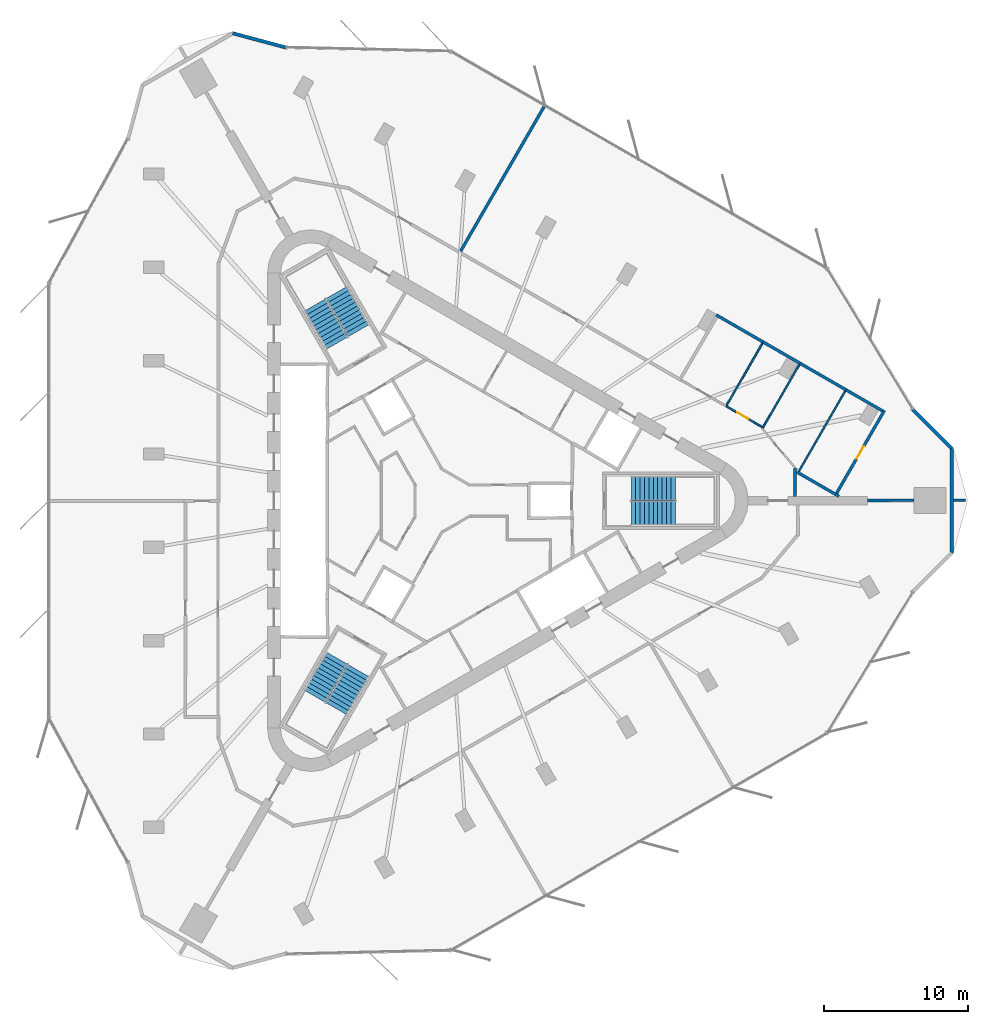
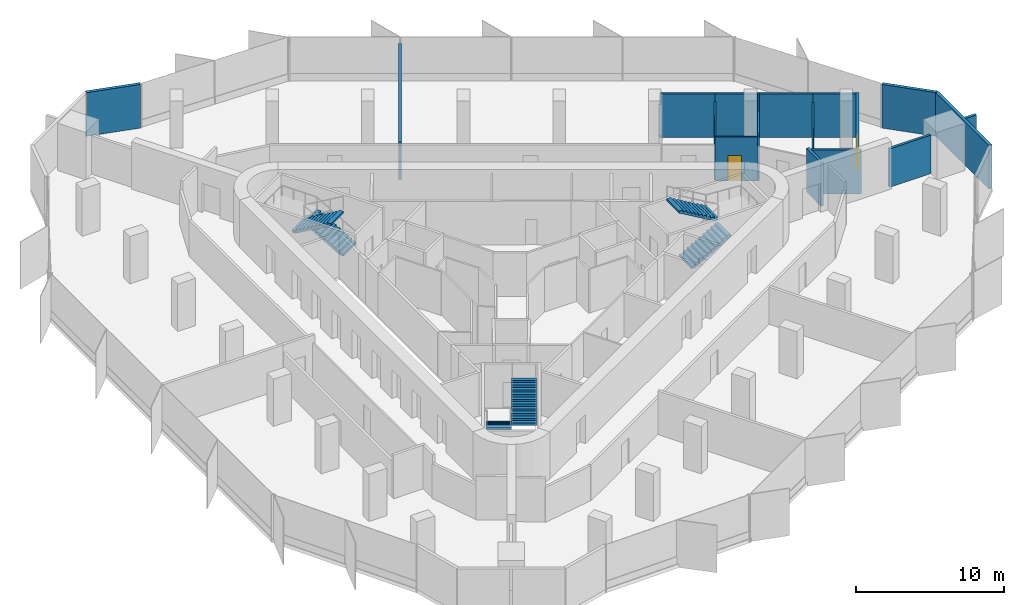
# One storey, part 11 of 12: 17 walls, 6 stair flights, 2 doors, 2 openings, 3 elements without a shape of their own.
"""IFC4 building model written with IfcOpenShell, lengths in metres."""

from ifc_helpers import new_model, si_unit, direction, frame, frame_2d, origin, place, context, subcontext, project, spatial, polyline, rectangle, outline, extrude, material, layer, layer_set, type_object, element, fill, aggregate, save


model = new_model("IFC4")

# Units and contexts
model_context = context("Model", 3, precision=1e-05, world=origin(), true_north=direction((0.0, 1.0)))
body_context = subcontext(model_context, "Body", "Model", "MODEL_VIEW")
ifc_project = project(units=[si_unit("LENGTHUNIT", "METRE"), si_unit("AREAUNIT", "SQUARE_METRE"), si_unit("VOLUMEUNIT", "CUBIC_METRE"), si_unit("PLANEANGLEUNIT", "RADIAN"), si_unit("MASSUNIT", "GRAM", prefix="KILO")], contexts=[model_context])

# Site, building, storey
site_placement = place(None, origin())
site = spatial("IfcSite", under=ifc_project, at=site_placement, CompositionType="ELEMENT")
building_placement = place(site_placement, origin())
building = spatial("IfcBuilding", under=site, at=building_placement, Name="Tanit Gate Tower", CompositionType="ELEMENT")
storey_placement = place(building_placement, frame((0.0, 0.0, 341.60009765625)))
storey = spatial("IfcBuildingStorey", under=building, at=storey_placement, Name="L77", CompositionType="ELEMENT", Elevation=341.60009765625)

# Walls
ifc_material_1 = material(Name="Concrete C30/37 with bronze anodised aluminium cladding", Category="concrete")
ifc_layer_1 = layer(ifc_material_1, 0.239990234375)
ifc_layer_set_1 = layer_set([ifc_layer_1], Name="Facade wall bronze clad 240")
wall_type_1 = type_object("IfcWallType", Name="Facade wall bronze clad 240", PredefinedType="SOLIDWALL", material=ifc_layer_set_1)
wall_1_placement = place(storey_placement, frame((-10.842529296875, 31.392578125, 0.0), z_axis=(0.0, 0.0, 1.0), x_axis=(-0.965919344782, 0.258843233206, 0.0)))
element("IfcWall", 1, at=wall_1_placement, inside=storey, type_object=wall_type_1, Name="Bronze-clad facade wall L77 NW.arc1", PredefinedType="SOLIDWALL", context=body_context, shape_type="SweptSolid", body=[
    extrude(rectangle(XDim=3.79638671875, YDim=0.239990234375, at=frame_2d((1.898193359375, 0.0))), origin(), (0.0, 0.0, 1.0), 3.599853515625),
])
wall_2_placement = place(storey_placement, frame((35.29248046875, -3.6220703125, 0.0), z_axis=(0.0, 0.0, 1.0), x_axis=(0.0, 1.0, 0.0)))
element("IfcWall", 2, at=wall_2_placement, inside=storey, type_object=wall_type_1, Name="Bronze-clad facade wall L77 E.arc2", PredefinedType="SOLIDWALL", context=body_context, shape_type="SweptSolid", body=[
    extrude(rectangle(XDim=7.244140625, YDim=0.239990234375, at=frame_2d((3.6220703125, 0.0))), origin(), (0.0, 0.0, 1.0), 3.599853515625),
])
wall_3_placement = place(storey_placement, frame((35.29248046875, 3.6220703125, 0.0), z_axis=(0.0, 0.0, 1.0), x_axis=(-0.707106781187, 0.707106781187, 0.0)))
element("IfcWall", 3, at=wall_3_placement, inside=storey, type_object=wall_type_1, Name="Bronze-clad facade wall L77 E.arc3", PredefinedType="SOLIDWALL", context=body_context, shape_type="SweptSolid", body=[
    extrude(rectangle(XDim=3.796142578125, YDim=0.239990234375, at=frame_2d((1.89794921875, 0.0))), origin(), (0.0, 0.0, 1.0), 3.599853515625),
])
ifc_material_2 = material(Name="Fire-rated gypsum board partition")
ifc_layer_2 = layer(ifc_material_2, 0.199951171875)
ifc_layer_set_2 = layer_set([ifc_layer_2], Name="INT-WALL-COMPARTMENT")
wall_type_2 = type_object("IfcWallType", Name="INT-WALL-COMPARTMENT", PredefinedType="PARTITIONING", material=ifc_layer_set_2)
wall_4_placement = place(storey_placement, frame((24.420654296875, 0.300048828125, 0.0), z_axis=(0.0, 0.0, 1.0), x_axis=(0.014331902383, 0.999897293013, 0.0)))
element("IfcWall", 4, at=wall_4_placement, inside=storey, type_object=wall_type_2, Name="Wall Compartment W098", PredefinedType="PARTITIONING", context=body_context, shape_type="SweptSolid", body=[
    extrude(rectangle(XDim=1.97607421875, YDim=0.199951171875, at=frame_2d((0.988037109375, 0.0))), origin(), (0.0, 0.0, 1.0), 3.599853515625),
])
wall_5_placement = place(storey_placement, frame((35.412353515625, 0.030029296875, 0.0), z_axis=(0.0, 0.0, 1.0), x_axis=(1.0, 0.0, 0.0)))
element("IfcWall", 5, at=wall_5_placement, inside=storey, type_object=wall_type_2, Name="Wall Compartment W116", PredefinedType="PARTITIONING", context=body_context, shape_type="SweptSolid", body=[
    extrude(rectangle(XDim=0.842529296875, YDim=0.199951171875, at=frame_2d((0.42138671875, 0.0))), origin(), (0.0, 0.0, 1.0), 3.599853515625),
])
wall_6_placement = place(storey_placement, frame((7.1044921875, 27.373291015625, 0.0), z_axis=(0.0, 0.0, 1.0), x_axis=(-0.500060220848, -0.86599063247, 0.0)))
element("IfcWall", 6, at=wall_6_placement, inside=storey, type_object=wall_type_2, Name="Wall Compartment W114", PredefinedType="PARTITIONING", context=body_context, shape_type="SweptSolid", body=[
    extrude(rectangle(XDim=11.658203125, YDim=0.199951171875, at=frame_2d((5.8291015625, 0.0))), origin(), (0.0, 0.0, 1.0), 3.06982421875),
])
wall_7_placement = place(storey_placement, frame((29.470703125, 0.01806640625, 0.0), z_axis=(0.0, 0.0, 1.0), x_axis=(0.999993083977, 0.003719139364, 0.0)))
element("IfcWall", 7, at=wall_7_placement, inside=storey, type_object=wall_type_2, Name="Wall Compartment W115", PredefinedType="PARTITIONING", context=body_context, shape_type="SweptSolid", body=[
    extrude(rectangle(XDim=3.216552734375, YDim=0.199951171875, at=frame_2d((1.6083984375, 0.0))), origin(), (0.0, 0.0, 1.0), 3.169921875),
])
wall_8_placement = place(storey_placement, frame((18.975341796875, 12.8662109375, 0.0), z_axis=(0.0, 0.0, 1.0), x_axis=(0.866007030292, -0.500031822473, 0.0)))
element("IfcWall", 8, at=wall_8_placement, inside=storey, type_object=wall_type_2, Name="Wall Compartment W117", PredefinedType="PARTITIONING", context=body_context, shape_type="SweptSolid", body=[
    extrude(rectangle(XDim=3.757080078125, YDim=0.199951171875, at=frame_2d((1.87841796875, 0.0))), origin(), (0.0, 0.0, 1.0), 3.599853515625),
])
wall_9_placement = place(storey_placement, frame((22.22900390625, 10.987548828125, 0.0), z_axis=(0.0, 0.0, 1.0), x_axis=(0.86604097052, -0.499973036653, 0.0)))
element("IfcWall", 9, at=wall_9_placement, inside=storey, type_object=wall_type_2, Name="Wall Compartment W119", PredefinedType="PARTITIONING", context=body_context, shape_type="SweptSolid", body=[
    extrude(rectangle(XDim=2.951904296875, YDim=0.199951171875, at=frame_2d((1.47607421875, 0.0))), origin(), (0.0, 0.0, 1.0), 3.599853515625),
])
wall_10_placement = place(storey_placement, frame((24.785400390625, 9.51171875, 0.0), z_axis=(0.0, 0.0, 1.0), x_axis=(0.866027105532, -0.499997052475, 0.0)))
element("IfcWall", 10, at=wall_10_placement, inside=storey, type_object=wall_type_2, Name="Wall Compartment W120", PredefinedType="PARTITIONING", context=body_context, shape_type="SweptSolid", body=[
    extrude(rectangle(XDim=3.66845703125, YDim=0.199951171875, at=frame_2d((1.834228515625, 0.0))), origin(), (0.0, 0.0, 1.0), 3.599853515625),
])
wall_11_placement = place(storey_placement, frame((27.96240234375, 7.677490234375, 0.0), z_axis=(0.0, 0.0, 1.0), x_axis=(0.866003347003, -0.50003820152, 0.0)))
element("IfcWall", 11, at=wall_11_placement, inside=storey, type_object=wall_type_2, Name="Wall Compartment W123", PredefinedType="PARTITIONING", context=body_context, shape_type="SweptSolid", body=[
    extrude(rectangle(XDim=2.922607421875, YDim=0.199951171875, at=frame_2d((1.46142578125, 0.0))), origin(), (0.0, 0.0, 1.0), 3.599853515625),
])
wall_12_placement = place(storey_placement, frame((24.544921875, 1.994873046875, 0.0), z_axis=(0.0, 0.0, 1.0), x_axis=(0.866027263711, -0.4999967785, 0.0)))
element("IfcWall", 12, at=wall_12_placement, inside=storey, type_object=wall_type_2, Name="Wall Compartment W121", PredefinedType="PARTITIONING", context=body_context, shape_type="SweptSolid", body=[
    extrude(rectangle(XDim=3.3896484375, YDim=0.199951171875, at=frame_2d((1.69482421875, 0.0))), origin(), (0.0, 0.0, 1.0), 3.599853515625),
])

# Wall, opening, door
wall_13_placement = place(storey_placement, frame((27.31494140625, 0.510986328125, 0.0), z_axis=(0.0, 0.0, 1.0), x_axis=(0.499996585558, 0.866027375104, 0.0)))
wall_13 = element("IfcWall", 13, at=wall_13_placement, inside=storey, type_object=wall_type_2, Name="Wall Compartment W122", PredefinedType="PARTITIONING", context=body_context, shape_type="SweptSolid", body=[
    extrude(rectangle(XDim=6.6298828125, YDim=0.199951171875, at=frame_2d((3.31494140625, 0.0))), origin(), (0.0, 0.0, 1.0), 3.599853515625),
])
opening_1_placement = place(wall_13_placement, frame((2.764892578125, 0.0, 0.0)))
opening_1 = element("IfcOpeningElement", 14, at=opening_1_placement, cuts=wall_13, Name="Opening F10-S21-25", PredefinedType="OPENING", context=body_context, shape_type="SweptSolid", body=[
    extrude(rectangle(XDim=1.0, YDim=2.10009765625, at=frame_2d((0.5, 1.050048828125))), frame((0.0, 0.10986328125, 0.0), z_axis=(0.0, -1.0, 0.0), x_axis=(1.0, 0.0, 0.0)), (0.0, 0.0, 1.0), 0.219970703125),
])
ifc_material_3 = material(Name="Fire-rated steel door leaf", Category="steel")
door_type_1 = type_object("IfcDoorType", Name="INT-DOOR-FIRE-1000", OperationType="NOTDEFINED", PredefinedType="USERDEFINED", material=ifc_material_3)
door_1_placement = place(opening_1_placement, origin())
door_1 = element("IfcDoor", 15, at=door_1_placement, inside=storey, type_object=door_type_1, Name="Door F10-S21-25", ObjectType="FIRE DOOR", OperationType="SINGLE_SWING_RIGHT", OverallHeight=2.10009765625, OverallWidth=1.0, PredefinedType="USERDEFINED", context=body_context, shape_type="SweptSolid", body=[
    extrude(rectangle(XDim=1.0, YDim=2.10009765625, at=frame_2d((0.5, 1.050048828125))), frame((0.0, 0.02490234375, 0.0), z_axis=(0.0, -1.0, 0.0), x_axis=(1.0, 0.0, 0.0)), (0.0, 0.0, 1.0), 0.050048828125),
])
fill(opening_1, door_1)

ifc_material_4 = material(Name="Gypsum board partition")
ifc_layer_3 = layer(ifc_material_4, 0.1201171875)
ifc_layer_set_3 = layer_set([ifc_layer_3], Name="INT-WALL-PARTITION")
wall_type_3 = type_object("IfcWallType", Name="INT-WALL-PARTITION", PredefinedType="PARTITIONING", material=ifc_layer_set_3)
wall_14_placement = place(storey_placement, frame((22.16845703125, 5.098876953125, 0.0), z_axis=(0.0, 0.0, 1.0), x_axis=(-0.866005628554, 0.500034250139, 0.0)))
wall_14 = element("IfcWall", 16, at=wall_14_placement, inside=storey, type_object=wall_type_3, Name="Wall Partition W100", PredefinedType="PARTITIONING", context=body_context, shape_type="SweptSolid", body=[
    extrude(rectangle(XDim=2.891845703125, YDim=0.1201171875, at=frame_2d((1.44580078125, 0.0))), origin(), (0.0, 0.0, 1.0), 3.599853515625),
])
opening_2_placement = place(wall_14_placement, frame((1.10009765625, 0.0, 0.0)))
opening_2 = element("IfcOpeningElement", 17, at=opening_2_placement, cuts=wall_14, Name="Opening D09-S21-23", PredefinedType="OPENING", context=body_context, shape_type="SweptSolid", body=[
    extrude(rectangle(XDim=0.89990234375, YDim=2.10009765625, at=frame_2d((0.449951171875, 1.050048828125))), frame((0.0, 0.070068359375, 0.0), z_axis=(0.0, -1.0, 0.0), x_axis=(1.0, 0.0, 0.0)), (0.0, 0.0, 1.0), 0.14013671875),
])
ifc_material_5 = material(Name="Timber door leaf", Category="wood")
door_type_2 = type_object("IfcDoorType", Name="INT-DOOR-SINGLE-900", OperationType="NOTDEFINED", PredefinedType="NOTDEFINED", material=ifc_material_5)
door_2_placement = place(opening_2_placement, origin())
door_2 = element("IfcDoor", 18, at=door_2_placement, inside=storey, type_object=door_type_2, Name="Door D09-S21-23", OperationType="SINGLE_SWING_LEFT", OverallHeight=2.10009765625, OverallWidth=0.89990234375, PredefinedType="NOTDEFINED", context=body_context, shape_type="SweptSolid", body=[
    extrude(rectangle(XDim=0.89990234375, YDim=2.10009765625, at=frame_2d((0.449951171875, 1.050048828125))), frame((0.0, 0.02490234375, 0.0), z_axis=(0.0, -1.0, 0.0), x_axis=(1.0, 0.0, 0.0)), (0.0, 0.0, 1.0), 0.050048828125),
])
fill(opening_2, door_2)

# Walls
wall_15_placement = place(storey_placement, frame((19.694091796875, 6.5966796875, 0.0), z_axis=(0.0, 0.0, 1.0), x_axis=(0.499974753747, 0.866039979225, 0.0)))
element("IfcWall", 19, at=wall_15_placement, inside=storey, type_object=wall_type_3, Name="Wall Partition W126", PredefinedType="PARTITIONING", context=body_context, shape_type="SweptSolid", body=[
    extrude(rectangle(XDim=4.969970703125, YDim=0.1201171875, at=frame_2d((2.48486328125, 0.0))), origin(), (0.0, 0.0, 1.0), 2.969970703125),
])
wall_16_placement = place(storey_placement, frame((24.7353515625, 9.425048828125, 0.0), z_axis=(0.0, 0.0, 1.0), x_axis=(-0.500002065185, -0.866024211446, 0.0)))
element("IfcWall", 20, at=wall_16_placement, inside=storey, type_object=wall_type_3, Name="Wall Partition W127", PredefinedType="PARTITIONING", context=body_context, shape_type="SweptSolid", body=[
    extrude(rectangle(XDim=5.06396484375, YDim=0.1201171875, at=frame_2d((2.531982421875, 0.0))), origin(), (0.0, 0.0, 1.0), 3.599853515625),
])
wall_17_placement = place(storey_placement, frame((24.697265625, 2.022216796875, 0.0), z_axis=(0.0, 0.0, 1.0), x_axis=(0.500006199568, 0.866021824432, 0.0)))
element("IfcWall", 21, at=wall_17_placement, inside=storey, type_object=wall_type_3, Name="Wall Partition W128", PredefinedType="PARTITIONING", context=body_context, shape_type="SweptSolid", body=[
    extrude(rectangle(XDim=6.43017578125, YDim=0.1201171875, at=frame_2d((3.215087890625, 0.0))), origin(), (0.0, 0.0, 1.0), 2.8798828125),
])

# Stair, stair flights
ifc_material_6 = material(Name="Concrete C40/50", Category="concrete")
stair_type = type_object("IfcStairType", Name="INT-STAIR-EXIT", PredefinedType="HALF_TURN_STAIR", material=ifc_material_6)
stair_1_placement = place(storey_placement, origin())
stair_1 = element("IfcStair", 22, at=stair_1_placement, inside=storey, type_object=stair_type, Name="L77 STAIR S1", PredefinedType="HALF_TURN_STAIR")
ifc_material_7 = material(Name="Concrete C40/50", Category="concrete")
stair_flight_type = type_object("IfcStairFlightType", Name="INT-STAIR-FLIGHT", PredefinedType="STRAIGHT", material=ifc_material_7)
stair_flight_1_placement = place(storey_placement, frame((13.094970703125, -0.8525390625, 0.0), z_axis=(0.0, 0.0, 1.0), x_axis=(1.0, 0.0, 0.0)))
stair_flight_1 = element("IfcStairFlight", 23, at=stair_flight_1_placement, type_object=stair_flight_type, Name="S1 flight 1", NumberOfRisers=11, NumberOfTreads=10, PredefinedType="STRAIGHT", RiserHeight=0.177272727, TreadLength=0.3051, context=body_context, shape_type="SweptSolid", body=[
    extrude(outline(polyline([(0.0, 0.0), (0.0, 0.17724609375), (0.30517578125, 0.17724609375), (0.30517578125, 0.3544921875), (0.610107421875, 0.3544921875), (0.610107421875, 0.53173828125), (0.915283203125, 0.53173828125), (0.915283203125, 0.708984375), (1.220458984375, 0.708984375), (1.220458984375, 0.886474609375), (1.525390625, 0.886474609375), (1.525390625, 1.063720703125), (1.83056640625, 1.063720703125), (1.83056640625, 1.240966796875), (2.1357421875, 1.240966796875), (2.1357421875, 1.418212890625), (2.44091796875, 1.418212890625), (2.44091796875, 1.595458984375), (2.745849609375, 1.595458984375), (2.745849609375, 1.772705078125), (3.051025390625, 1.772705078125), (3.051025390625, 1.949951171875), (3.051025390625, 1.599365234375), (0.29833984375, 0.0), (0.0, 0.0)])), frame((0.0, 0.84765625, 0.0), z_axis=(0.0, -1.0, 0.0), x_axis=(1.0, 0.0, 0.0)), (0.0, 0.0, 1.0), 1.695068359375),
])
stair_flight_2_placement = place(storey_placement, frame((16.14599609375, 0.8525390625, 1.949951171875), z_axis=(0.0, 0.0, 1.0), x_axis=(-1.0, 0.0, 0.0)))
stair_flight_2 = element("IfcStairFlight", 24, at=stair_flight_2_placement, type_object=stair_flight_type, Name="S1 flight 2", NumberOfRisers=11, NumberOfTreads=10, PredefinedType="STRAIGHT", RiserHeight=0.177272727, TreadLength=0.3051, context=body_context, shape_type="SweptSolid", body=[
    extrude(outline(polyline([(0.0, 0.0), (0.0, 0.17724609375), (0.30517578125, 0.17724609375), (0.30517578125, 0.3544921875), (0.610107421875, 0.3544921875), (0.610107421875, 0.53173828125), (0.915283203125, 0.53173828125), (0.915283203125, 0.708984375), (1.220458984375, 0.708984375), (1.220458984375, 0.886474609375), (1.525390625, 0.886474609375), (1.525390625, 1.063720703125), (1.83056640625, 1.063720703125), (1.83056640625, 1.240966796875), (2.1357421875, 1.240966796875), (2.1357421875, 1.418212890625), (2.44091796875, 1.418212890625), (2.44091796875, 1.595458984375), (2.745849609375, 1.595458984375), (2.745849609375, 1.772705078125), (3.051025390625, 1.772705078125), (3.051025390625, 1.949951171875), (3.051025390625, 1.599365234375), (0.29833984375, 0.0), (0.0, 0.0)])), frame((0.0, 0.84765625, 0.0), z_axis=(0.0, -1.0, 0.0), x_axis=(1.0, 0.0, 0.0)), (0.0, 0.0, 1.0), 1.695068359375),
])
aggregate(stair_1, [stair_flight_1, stair_flight_2])

stair_2_placement = place(storey_placement, origin())
stair_2 = element("IfcStair", 25, at=stair_2_placement, inside=storey, type_object=stair_type, Name="L77 STAIR S2", PredefinedType="HALF_TURN_STAIR")
stair_flight_3_placement = place(storey_placement, frame((-5.808349609375, 11.766357421875, 0.0), z_axis=(0.0, 0.0, 1.0), x_axis=(-0.5, 0.866025403784, 0.0)))
stair_flight_3 = element("IfcStairFlight", 26, at=stair_flight_3_placement, type_object=stair_flight_type, Name="S2 flight 1", NumberOfRisers=11, NumberOfTreads=10, PredefinedType="STRAIGHT", RiserHeight=0.177272727, TreadLength=0.30492, context=body_context, shape_type="SweptSolid", body=[
    extrude(outline(polyline([(0.0, 0.0), (0.0, 0.17724609375), (0.304931640625, 0.17724609375), (0.304931640625, 0.3544921875), (0.60986328125, 0.3544921875), (0.60986328125, 0.53173828125), (0.914794921875, 0.53173828125), (0.914794921875, 0.708984375), (1.2197265625, 0.708984375), (1.2197265625, 0.886474609375), (1.524658203125, 0.886474609375), (1.524658203125, 1.063720703125), (1.82958984375, 1.063720703125), (1.82958984375, 1.240966796875), (2.134521484375, 1.240966796875), (2.134521484375, 1.418212890625), (2.439453125, 1.418212890625), (2.439453125, 1.595458984375), (2.744384765625, 1.595458984375), (2.744384765625, 1.772705078125), (3.04931640625, 1.772705078125), (3.04931640625, 1.949951171875), (3.04931640625, 1.599365234375), (0.29833984375, 0.0), (0.0, 0.0)])), frame((0.0, 0.84716796875, 0.0), z_axis=(0.0, -1.0, 0.0), x_axis=(1.0, 0.0, 0.0)), (0.0, 0.0, 1.0), 1.694091796875),
])
stair_flight_4_placement = place(storey_placement, frame((-8.810302734375, 13.553955078125, 1.949951171875), z_axis=(0.0, 0.0, 1.0), x_axis=(0.5, -0.866025403784, 0.0)))
stair_flight_4 = element("IfcStairFlight", 27, at=stair_flight_4_placement, type_object=stair_flight_type, Name="S2 flight 2", NumberOfRisers=11, NumberOfTreads=10, PredefinedType="STRAIGHT", RiserHeight=0.177272727, TreadLength=0.30492, context=body_context, shape_type="SweptSolid", body=[
    extrude(outline(polyline([(0.0, 0.0), (0.0, 0.17724609375), (0.304931640625, 0.17724609375), (0.304931640625, 0.3544921875), (0.60986328125, 0.3544921875), (0.60986328125, 0.53173828125), (0.914794921875, 0.53173828125), (0.914794921875, 0.708984375), (1.2197265625, 0.708984375), (1.2197265625, 0.886474609375), (1.524658203125, 0.886474609375), (1.524658203125, 1.063720703125), (1.82958984375, 1.063720703125), (1.82958984375, 1.240966796875), (2.134521484375, 1.240966796875), (2.134521484375, 1.418212890625), (2.439453125, 1.418212890625), (2.439453125, 1.595458984375), (2.744384765625, 1.595458984375), (2.744384765625, 1.772705078125), (3.04931640625, 1.772705078125), (3.04931640625, 1.949951171875), (3.04931640625, 1.599365234375), (0.29833984375, 0.0), (0.0, 0.0)])), frame((0.0, 0.84716796875, 0.0), z_axis=(0.0, -1.0, 0.0), x_axis=(1.0, 0.0, 0.0)), (0.0, 0.0, 1.0), 1.694091796875),
])
aggregate(stair_2, [stair_flight_3, stair_flight_4])

stair_3_placement = place(storey_placement, origin())
stair_3 = element("IfcStair", 28, at=stair_3_placement, inside=storey, type_object=stair_type, Name="L77 STAIR S3", PredefinedType="HALF_TURN_STAIR")
stair_flight_5_placement = place(storey_placement, frame((-7.285888671875, -10.914306640625, 0.0), z_axis=(0.0, 0.0, 1.0), x_axis=(-0.5, -0.866025403784, 0.0)))
stair_flight_5 = element("IfcStairFlight", 29, at=stair_flight_5_placement, type_object=stair_flight_type, Name="S3 flight 1", NumberOfRisers=11, NumberOfTreads=10, PredefinedType="STRAIGHT", RiserHeight=0.177272727, TreadLength=0.3051, context=body_context, shape_type="SweptSolid", body=[
    extrude(outline(polyline([(0.0, 0.0), (0.0, 0.17724609375), (0.30517578125, 0.17724609375), (0.30517578125, 0.3544921875), (0.610107421875, 0.3544921875), (0.610107421875, 0.53173828125), (0.915283203125, 0.53173828125), (0.915283203125, 0.708984375), (1.220458984375, 0.708984375), (1.220458984375, 0.886474609375), (1.525390625, 0.886474609375), (1.525390625, 1.063720703125), (1.83056640625, 1.063720703125), (1.83056640625, 1.240966796875), (2.1357421875, 1.240966796875), (2.1357421875, 1.418212890625), (2.44091796875, 1.418212890625), (2.44091796875, 1.595458984375), (2.745849609375, 1.595458984375), (2.745849609375, 1.772705078125), (3.051025390625, 1.772705078125), (3.051025390625, 1.949951171875), (3.051025390625, 1.599365234375), (0.29833984375, 0.0), (0.0, 0.0)])), frame((0.0, 0.84765625, 0.0), z_axis=(0.0, -1.0, 0.0), x_axis=(1.0, 0.0, 0.0)), (0.0, 0.0, 1.0), 1.695068359375),
])
stair_flight_6_placement = place(storey_placement, frame((-7.334716796875, -14.4091796875, 1.949951171875), z_axis=(0.0, 0.0, 1.0), x_axis=(0.5, 0.866025403784, 0.0)))
stair_flight_6 = element("IfcStairFlight", 30, at=stair_flight_6_placement, type_object=stair_flight_type, Name="S3 flight 2", NumberOfRisers=11, NumberOfTreads=10, PredefinedType="STRAIGHT", RiserHeight=0.177272727, TreadLength=0.3051, context=body_context, shape_type="SweptSolid", body=[
    extrude(outline(polyline([(0.0, 0.0), (0.0, 0.17724609375), (0.30517578125, 0.17724609375), (0.30517578125, 0.3544921875), (0.610107421875, 0.3544921875), (0.610107421875, 0.53173828125), (0.915283203125, 0.53173828125), (0.915283203125, 0.708984375), (1.220458984375, 0.708984375), (1.220458984375, 0.886474609375), (1.525390625, 0.886474609375), (1.525390625, 1.063720703125), (1.83056640625, 1.063720703125), (1.83056640625, 1.240966796875), (2.1357421875, 1.240966796875), (2.1357421875, 1.418212890625), (2.44091796875, 1.418212890625), (2.44091796875, 1.595458984375), (2.745849609375, 1.595458984375), (2.745849609375, 1.772705078125), (3.051025390625, 1.772705078125), (3.051025390625, 1.949951171875), (3.051025390625, 1.599365234375), (0.29833984375, 0.0), (0.0, 0.0)])), frame((0.0, 0.84765625, 0.0), z_axis=(0.0, -1.0, 0.0), x_axis=(1.0, 0.0, 0.0)), (0.0, 0.0, 1.0), 1.695068359375),
])
aggregate(stair_3, [stair_flight_5, stair_flight_6])

save(model, "model.ifc")
